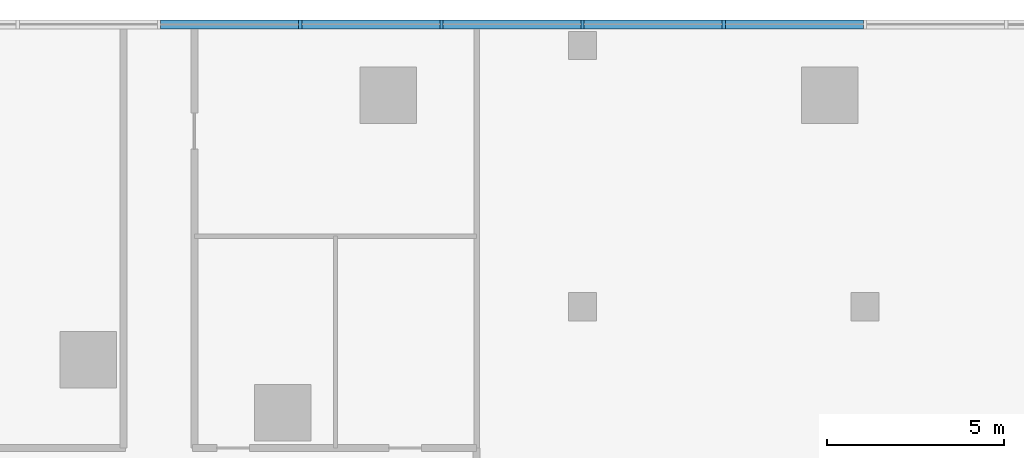
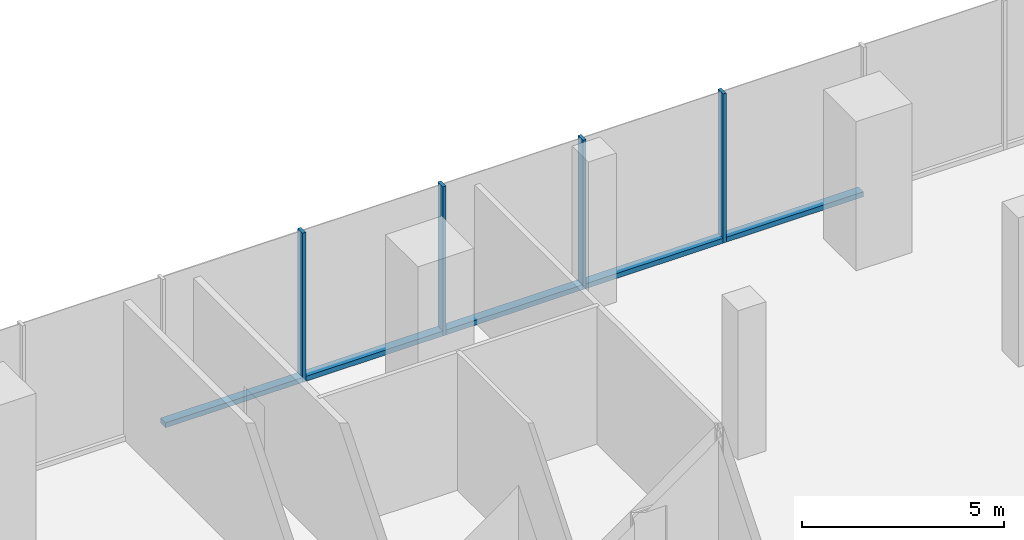
# One storey, part 5 of 15: 9 members, 1 element without a shape of its own.
"""IFC4 building model written with IfcOpenShell, lengths in metres."""

from ifc_helpers import new_model, si_unit, direction, frame, origin, origin_2d, place, context, subcontext, project, spatial, rectangle, extrude, material, material_profile, profile_set, type_object, element, aggregate, save


model = new_model("IFC4")

# Units and contexts
model_context = context("Model", 3, precision=1e-05, world=origin(), true_north=direction((0.0, 1.0)))
body_context = subcontext(model_context, "Body", "Model", "MODEL_VIEW")
ifc_project = project(units=[si_unit("LENGTHUNIT", "METRE"), si_unit("AREAUNIT", "SQUARE_METRE"), si_unit("VOLUMEUNIT", "CUBIC_METRE"), si_unit("PLANEANGLEUNIT", "RADIAN"), si_unit("MASSUNIT", "GRAM", prefix="KILO")], contexts=[model_context])

# Site, building, storey
site_placement = place(None, origin())
site = spatial("IfcSite", under=ifc_project, at=site_placement, CompositionType="ELEMENT")
building_placement = place(site_placement, origin())
building = spatial("IfcBuilding", under=site, at=building_placement, Name="Torsade Residences", CompositionType="ELEMENT")
storey_placement = place(building_placement, frame((0.0, 0.0, 6.0)))
storey = spatial("IfcBuildingStorey", under=building, at=storey_placement, Name="L01", CompositionType="ELEMENT", Elevation=6.0)

# Curtain wall, members
ifc_material_1 = material(Name="Aluminium and glass", Category="aluminium")
curtain_wall_type = type_object("IfcCurtainWallType", Name="PODIUM CURTAIN WALL", PredefinedType="NOTDEFINED", material=ifc_material_1)
curtain_wall_placement = place(storey_placement, origin())
curtain_wall = element("IfcCurtainWall", 1, at=curtain_wall_placement, inside=storey, type_object=curtain_wall_type, Name="Podium curtain wall L01 N", PredefinedType="NOTDEFINED")
ifc_material_2 = material(Name="Aluminium mullion", Category="aluminium")
ifc_material_profile_1 = material_profile(ifc_material_2, rectangle(XDim=0.25, YDim=0.090087890625, at=origin_2d()), Name="PODIUM CURTAIN WALL MULLION 250x90")
ifc_profile_set_1 = profile_set([ifc_material_profile_1], Name="Aluminium mullion")
member_type_1 = type_object("IfcMemberType", Name="PODIUM CURTAIN WALL MULLION 250x90", PredefinedType="MULLION", material=ifc_profile_set_1)
member_1_placement = place(storey_placement, frame((62.0, 57.0, 0.0), z_axis=(0.0, 0.0, 1.0), x_axis=(0.0, -1.0, 0.0)))
member_1 = element("IfcMember", 2, at=member_1_placement, type_object=member_type_1, Name="Mullion 5", PredefinedType="MULLION", context=body_context, shape_type="SweptSolid", body=[
    extrude(rectangle(XDim=0.25, YDim=0.090087890625, at=origin_2d()), origin(), (0.0, 0.0, 1.0), 4.5),
])
member_2_placement = place(storey_placement, frame((58.0, 57.0, 0.0), z_axis=(0.0, 0.0, 1.0), x_axis=(0.0, -1.0, 0.0)))
member_2 = element("IfcMember", 3, at=member_2_placement, type_object=member_type_1, Name="Mullion 6", PredefinedType="MULLION", context=body_context, shape_type="SweptSolid", body=[
    extrude(rectangle(XDim=0.25, YDim=0.090087890625, at=origin_2d()), origin(), (0.0, 0.0, 1.0), 4.5),
])
member_3_placement = place(storey_placement, frame((54.0, 57.0, 0.0), z_axis=(0.0, 0.0, 1.0), x_axis=(0.0, -1.0, 0.0)))
member_3 = element("IfcMember", 4, at=member_3_placement, type_object=member_type_1, Name="Mullion 7", PredefinedType="MULLION", context=body_context, shape_type="SweptSolid", body=[
    extrude(rectangle(XDim=0.25, YDim=0.090087890625, at=origin_2d()), origin(), (0.0, 0.0, 1.0), 4.5),
])
member_4_placement = place(storey_placement, frame((50.0, 57.0, 0.0), z_axis=(0.0, 0.0, 1.0), x_axis=(0.0, -1.0, 0.0)))
member_4 = element("IfcMember", 5, at=member_4_placement, type_object=member_type_1, Name="Mullion 8", PredefinedType="MULLION", context=body_context, shape_type="SweptSolid", body=[
    extrude(rectangle(XDim=0.25, YDim=0.090087890625, at=origin_2d()), origin(), (0.0, 0.0, 1.0), 4.5),
])
ifc_material_3 = material(Name="Aluminium transom", Category="aluminium")
ifc_material_profile_2 = material_profile(ifc_material_3, rectangle(XDim=0.25, YDim=0.14990234375, at=origin_2d()), Name="PODIUM CURTAIN WALL TRANSOM 250x150")
ifc_profile_set_2 = profile_set([ifc_material_profile_2], Name="Aluminium transom")
member_type_2 = type_object("IfcMemberType", Name="PODIUM CURTAIN WALL TRANSOM 250x150", PredefinedType="USERDEFINED", material=ifc_profile_set_2)
member_5_placement = place(storey_placement, frame((65.955078125, 57.0, 0.074951171875), z_axis=(-1.0, 0.0, 0.0), x_axis=(0.0, -1.0, 0.0)))
member_5 = element("IfcMember", 6, at=member_5_placement, type_object=member_type_2, Name="Transom 4.1", ObjectType="TRANSOM", PredefinedType="USERDEFINED", context=body_context, shape_type="SweptSolid", body=[
    extrude(rectangle(XDim=0.25, YDim=0.14990234375, at=origin_2d()), origin(), (0.0, 0.0, 1.0), 3.91015625),
])
member_6_placement = place(storey_placement, frame((61.955078125, 57.0, 0.074951171875), z_axis=(-1.0, 0.0, 0.0), x_axis=(0.0, -1.0, 0.0)))
member_6 = element("IfcMember", 7, at=member_6_placement, type_object=member_type_2, Name="Transom 5.1", ObjectType="TRANSOM", PredefinedType="USERDEFINED", context=body_context, shape_type="SweptSolid", body=[
    extrude(rectangle(XDim=0.25, YDim=0.14990234375, at=origin_2d()), origin(), (0.0, 0.0, 1.0), 3.91015625),
])
member_7_placement = place(storey_placement, frame((57.955078125, 57.0, 0.074951171875), z_axis=(-1.0, 0.0, 0.0), x_axis=(0.0, -1.0, 0.0)))
member_7 = element("IfcMember", 8, at=member_7_placement, type_object=member_type_2, Name="Transom 6.1", ObjectType="TRANSOM", PredefinedType="USERDEFINED", context=body_context, shape_type="SweptSolid", body=[
    extrude(rectangle(XDim=0.25, YDim=0.14990234375, at=origin_2d()), origin(), (0.0, 0.0, 1.0), 3.91015625),
])
member_8_placement = place(storey_placement, frame((53.955078125, 57.0, 0.074951171875), z_axis=(-1.0, 0.0, 0.0), x_axis=(0.0, -1.0, 0.0)))
member_8 = element("IfcMember", 9, at=member_8_placement, type_object=member_type_2, Name="Transom 7.1", ObjectType="TRANSOM", PredefinedType="USERDEFINED", context=body_context, shape_type="SweptSolid", body=[
    extrude(rectangle(XDim=0.25, YDim=0.14990234375, at=origin_2d()), origin(), (0.0, 0.0, 1.0), 3.91015625),
])
member_9_placement = place(storey_placement, frame((49.955078125, 57.0, 0.074951171875), z_axis=(-1.0, 0.0, 0.0), x_axis=(0.0, -1.0, 0.0)))
member_9 = element("IfcMember", 10, at=member_9_placement, type_object=member_type_2, Name="Transom 8.1", ObjectType="TRANSOM", PredefinedType="USERDEFINED", context=body_context, shape_type="SweptSolid", body=[
    extrude(rectangle(XDim=0.25, YDim=0.14990234375, at=origin_2d()), origin(), (0.0, 0.0, 1.0), 3.91015625),
])
aggregate(curtain_wall, [member_1, member_2, member_3, member_4, member_5, member_6, member_7, member_8, member_9])

save(model, "model.ifc")
